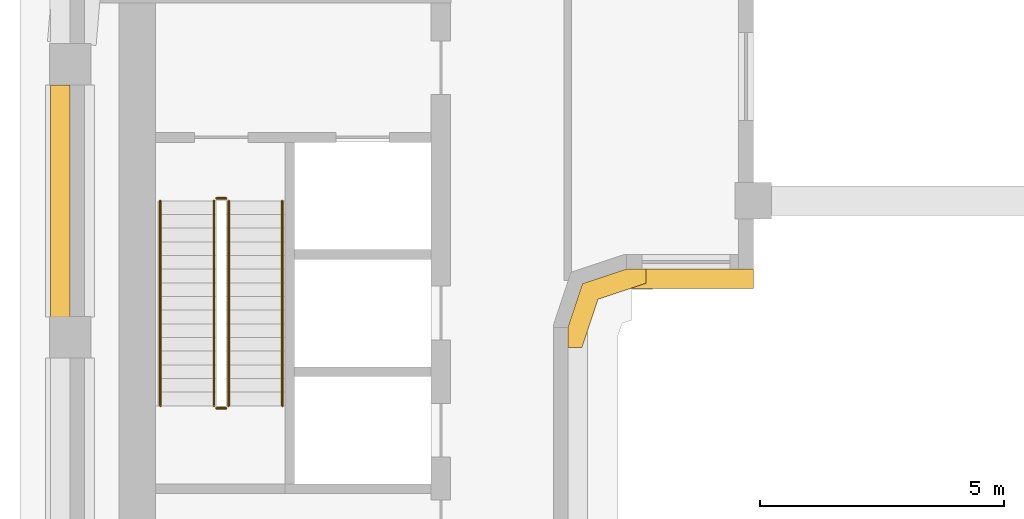
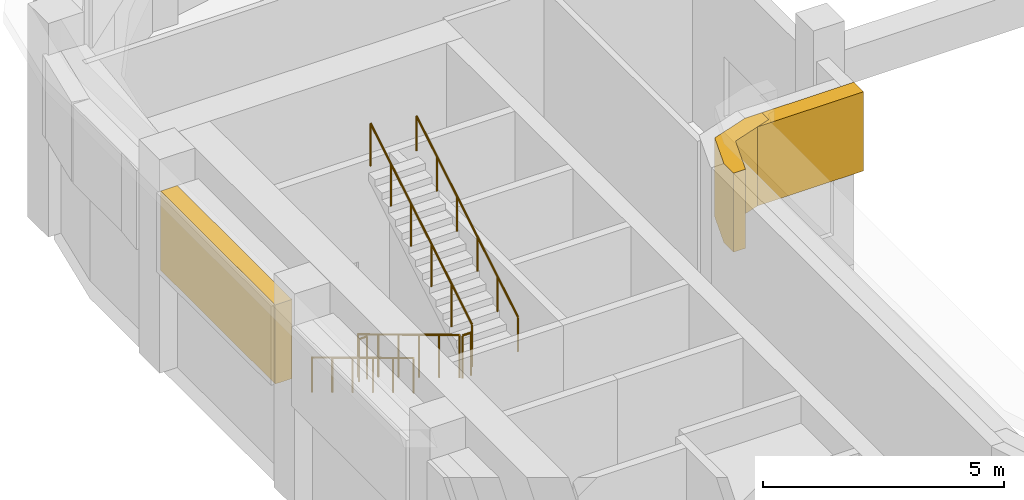
# One storey, part 9 of 13: 6 railings, 3 coverings.
"""IFC4 building model written with IfcOpenShell, lengths in metres."""

from ifc_helpers import new_model, si_unit, direction, frame, origin, origin_2d, place, context, subcontext, project, spatial, polyline, rectangle, circle, outline, extrude, material, type_object, element, save


model = new_model("IFC4")

# Units and contexts
model_context = context("Model", 3, precision=1e-05, world=origin(), true_north=direction((0.0, 1.0)))
body_context = subcontext(model_context, "Body", "Model", "MODEL_VIEW")
ifc_project = project(units=[si_unit("LENGTHUNIT", "METRE"), si_unit("AREAUNIT", "SQUARE_METRE"), si_unit("VOLUMEUNIT", "CUBIC_METRE"), si_unit("PLANEANGLEUNIT", "RADIAN"), si_unit("MASSUNIT", "GRAM", prefix="KILO")], contexts=[model_context])

# Site, building, storey
site_placement = place(None, origin())
site = spatial("IfcSite", under=ifc_project, at=site_placement, CompositionType="ELEMENT")
building_placement = place(site_placement, origin())
building = spatial("IfcBuilding", under=site, at=building_placement, Name="Kiln Ring Residences", CompositionType="ELEMENT")
storey_placement = place(building_placement, frame((0.0, 0.0, 236.300048828125)))
storey = spatial("IfcBuildingStorey", under=building, at=storey_placement, Name="L61", CompositionType="ELEMENT", Elevation=236.300048828125)

# Railings
ifc_material_1 = material(Name="Stainless steel", Category="steel")
railing_type_1 = type_object("IfcRailingType", Name="CORE-STAIR-GUARD", PredefinedType="GUARDRAIL", material=ifc_material_1)
railing_1_placement = place(storey_placement, frame((-22.25, 8.39990234375, 0.168701171875)))
element("IfcRailing", 1, at=railing_1_placement, inside=storey, type_object=railing_type_1, Name="L61 W-STN stair guard 1", PredefinedType="GUARDRAIL", context=body_context, shape_type="SweptSolid", body=[
    extrude(circle(Radius=0.02392578125, at=origin_2d()), frame((0.0, 0.0, 1.076171875), z_axis=(0.0, -0.856476492594, 0.516186030065), x_axis=(1.0, 0.0, 0.0)), (0.0, 0.0, 1.0), 4.90380859375),
    extrude(circle(Radius=0.02099609375, at=origin_2d()), origin(), (0.0, 0.0, 1.0), 1.052001953125),
    extrude(circle(Radius=0.02099609375, at=origin_2d()), frame((0.0, -0.840087890625, 0.50634765625)), (0.0, 0.0, 1.0), 1.052001953125),
    extrude(circle(Radius=0.02099609375, at=origin_2d()), frame((0.0, -1.679931640625, 1.012451171875)), (0.0, 0.0, 1.0), 1.052001953125),
    extrude(circle(Radius=0.02099609375, at=origin_2d()), frame((0.0, -2.52001953125, 1.518798828125)), (0.0, 0.0, 1.0), 1.052001953125),
    extrude(circle(Radius=0.02099609375, at=origin_2d()), frame((0.0, -3.35986328125, 2.02490234375)), (0.0, 0.0, 1.0), 1.052001953125),
    extrude(circle(Radius=0.02099609375, at=origin_2d()), frame((0.0, -4.199951171875, 2.53125)), (0.0, 0.0, 1.0), 1.052001953125),
])
railing_2_placement = place(storey_placement, frame((-22.199951171875, 4.14990234375, 2.699951171875)))
element("IfcRailing", 2, at=railing_2_placement, inside=storey, type_object=railing_type_1, Name="L61 W-STN stair guard 2", PredefinedType="GUARDRAIL", context=body_context, shape_type="SweptSolid", body=[
    extrude(circle(Radius=0.02392578125, at=origin_2d()), frame((0.0, 0.0, 1.076171875), z_axis=(1.0, 0.0, 0.0), x_axis=(0.0, 1.0, 0.0)), (0.0, 0.0, 1.0), 0.199951171875),
    extrude(circle(Radius=0.02099609375, at=origin_2d()), origin(), (0.0, 0.0, 1.0), 1.052001953125),
    extrude(circle(Radius=0.02099609375, at=origin_2d()), frame((0.199951171875, 0.0, 0.0)), (0.0, 0.0, 1.0), 1.052001953125),
])
railing_3_placement = place(storey_placement, frame((-21.949951171875, 4.199951171875, 2.86865234375)))
element("IfcRailing", 3, at=railing_3_placement, inside=storey, type_object=railing_type_1, Name="L61 W-STN stair guard 3", PredefinedType="GUARDRAIL", context=body_context, shape_type="SweptSolid", body=[
    extrude(circle(Radius=0.02392578125, at=origin_2d()), frame((0.0, 0.0, 1.076171875), z_axis=(0.0, 0.856476492594, 0.516186030065), x_axis=(-1.0, 0.0, 0.0)), (0.0, 0.0, 1.0), 4.90380859375),
    extrude(circle(Radius=0.02099609375, at=origin_2d()), origin(), (0.0, 0.0, 1.0), 1.052001953125),
    extrude(circle(Radius=0.02099609375, at=origin_2d()), frame((0.0, 0.840087890625, 0.50634765625)), (0.0, 0.0, 1.0), 1.052001953125),
    extrude(circle(Radius=0.02099609375, at=origin_2d()), frame((0.0, 1.679931640625, 1.012451171875)), (0.0, 0.0, 1.0), 1.052001953125),
    extrude(circle(Radius=0.02099609375, at=origin_2d()), frame((0.0, 2.52001953125, 1.518798828125)), (0.0, 0.0, 1.0), 1.052001953125),
    extrude(circle(Radius=0.02099609375, at=origin_2d()), frame((0.0, 3.35986328125, 2.02490234375)), (0.0, 0.0, 1.0), 1.052001953125),
    extrude(circle(Radius=0.02099609375, at=origin_2d()), frame((0.0, 4.199951171875, 2.53125)), (0.0, 0.0, 1.0), 1.052001953125),
])
railing_4_placement = place(storey_placement, frame((-22.199951171875, 8.449951171875, 0.0)))
element("IfcRailing", 4, at=railing_4_placement, inside=storey, type_object=railing_type_1, Name="L61 W-STN stair guard 4", PredefinedType="GUARDRAIL", context=body_context, shape_type="SweptSolid", body=[
    extrude(circle(Radius=0.02392578125, at=origin_2d()), frame((0.0, 0.0, 1.076171875), z_axis=(1.0, 0.0, 0.0), x_axis=(0.0, 1.0, 0.0)), (0.0, 0.0, 1.0), 0.199951171875),
    extrude(circle(Radius=0.02099609375, at=origin_2d()), origin(), (0.0, 0.0, 1.0), 1.052001953125),
    extrude(circle(Radius=0.02099609375, at=origin_2d()), frame((0.199951171875, 0.0, 0.0)), (0.0, 0.0, 1.0), 1.052001953125),
])
ifc_material_2 = material(Name="Stainless steel", Category="steel")
railing_type_2 = type_object("IfcRailingType", Name="CORE-STAIR-HANDRAIL", PredefinedType="HANDRAIL", material=ifc_material_2)
railing_5_placement = place(storey_placement, frame((-23.35009765625, 8.39990234375, 0.168701171875)))
element("IfcRailing", 5, at=railing_5_placement, inside=storey, type_object=railing_type_2, Name="L61 W-STN stair handrail 1", PredefinedType="HANDRAIL", context=body_context, shape_type="SweptSolid", body=[
    extrude(circle(Radius=0.02392578125, at=origin_2d()), frame((0.0, 0.0, 0.8759765625), z_axis=(0.0, -0.856476492594, 0.516186030065), x_axis=(1.0, 0.0, 0.0)), (0.0, 0.0, 1.0), 4.90380859375),
    extrude(circle(Radius=0.02099609375, at=origin_2d()), origin(), (0.0, 0.0, 1.0), 0.851806640625),
    extrude(circle(Radius=0.02099609375, at=origin_2d()), frame((0.0, -0.840087890625, 0.50634765625)), (0.0, 0.0, 1.0), 0.851806640625),
    extrude(circle(Radius=0.02099609375, at=origin_2d()), frame((0.0, -1.679931640625, 1.012451171875)), (0.0, 0.0, 1.0), 0.851806640625),
    extrude(circle(Radius=0.02099609375, at=origin_2d()), frame((0.0, -2.52001953125, 1.518798828125)), (0.0, 0.0, 1.0), 0.851806640625),
    extrude(circle(Radius=0.02099609375, at=origin_2d()), frame((0.0, -3.35986328125, 2.02490234375)), (0.0, 0.0, 1.0), 0.851806640625),
    extrude(circle(Radius=0.02099609375, at=origin_2d()), frame((0.0, -4.199951171875, 2.53125)), (0.0, 0.0, 1.0), 0.851806640625),
])
railing_6_placement = place(storey_placement, frame((-20.85009765625, 4.199951171875, 2.86865234375)))
element("IfcRailing", 6, at=railing_6_placement, inside=storey, type_object=railing_type_2, Name="L61 W-STN stair handrail 2", PredefinedType="HANDRAIL", context=body_context, shape_type="SweptSolid", body=[
    extrude(circle(Radius=0.02392578125, at=origin_2d()), frame((0.0, 0.0, 0.8759765625), z_axis=(0.0, 0.856476492594, 0.516186030065), x_axis=(-1.0, 0.0, 0.0)), (0.0, 0.0, 1.0), 4.90380859375),
    extrude(circle(Radius=0.02099609375, at=origin_2d()), origin(), (0.0, 0.0, 1.0), 0.851806640625),
    extrude(circle(Radius=0.02099609375, at=origin_2d()), frame((0.0, 0.840087890625, 0.50634765625)), (0.0, 0.0, 1.0), 0.851806640625),
    extrude(circle(Radius=0.02099609375, at=origin_2d()), frame((0.0, 1.679931640625, 1.012451171875)), (0.0, 0.0, 1.0), 0.851806640625),
    extrude(circle(Radius=0.02099609375, at=origin_2d()), frame((0.0, 2.52001953125, 1.518798828125)), (0.0, 0.0, 1.0), 0.851806640625),
    extrude(circle(Radius=0.02099609375, at=origin_2d()), frame((0.0, 3.35986328125, 2.02490234375)), (0.0, 0.0, 1.0), 0.851806640625),
    extrude(circle(Radius=0.02099609375, at=origin_2d()), frame((0.0, 4.199951171875, 2.53125)), (0.0, 0.0, 1.0), 0.851806640625),
])

# Coverings
ifc_material_3 = material(Name="Concrete C35/45, exposed aggregate finish", Category="concrete")
covering_type = type_object("IfcCoveringType", Name="TIE BAND 2000 x 400", PredefinedType="CLADDING", material=ifc_material_3)
covering_1_placement = place(storey_placement, frame((-12.5, 6.800048828125, 2.599853515625), z_axis=(0.0, 0.0, 1.0), x_axis=(1.0, 0.0, 0.0)))
element("IfcCovering", 7, at=covering_1_placement, inside=storey, type_object=covering_type, Name="TIE BAND L61", PredefinedType="CLADDING", context=body_context, shape_type="SweptSolid", body=[
    extrude(rectangle(XDim=2.60009765625, YDim=0.39990234375, at=origin_2d()), origin(), (0.0, 0.0, 1.0), 2.0),
])
covering_2_placement = place(storey_placement, frame((-25.39990234375, 8.39990234375, 2.599853515625), z_axis=(0.0, 0.0, 1.0), x_axis=(0.0, -1.0, 0.0)))
element("IfcCovering", 8, at=covering_2_placement, inside=storey, type_object=covering_type, Name="TIE BAND L61", PredefinedType="CLADDING", context=body_context, shape_type="SweptSolid", body=[
    extrude(rectangle(XDim=4.75, YDim=0.39990234375, at=origin_2d()), origin(), (0.0, 0.0, 1.0), 2.0),
])
covering_3_placement = place(storey_placement, frame((0.0, 0.0, 2.599853515625)))
element("IfcCovering", 9, at=covering_3_placement, inside=storey, type_object=covering_type, Name="TIE BAND L61", PredefinedType="CLADDING", context=body_context, shape_type="SweptSolid", body=[
    extrude(outline(polyline([(-15.0, 5.800048828125), (-15.0, 5.39990234375), (-14.711669921875, 5.39990234375), (-14.3837890625, 6.3837890625), (-13.39990234375, 6.711669921875), (-13.39990234375, 7.0), (-13.800048828125, 7.0), (-14.699951171875, 6.699951171875), (-15.0, 5.800048828125)])), origin(), (0.0, 0.0, 1.0), 2.0),
])

save(model, "model.ifc")
